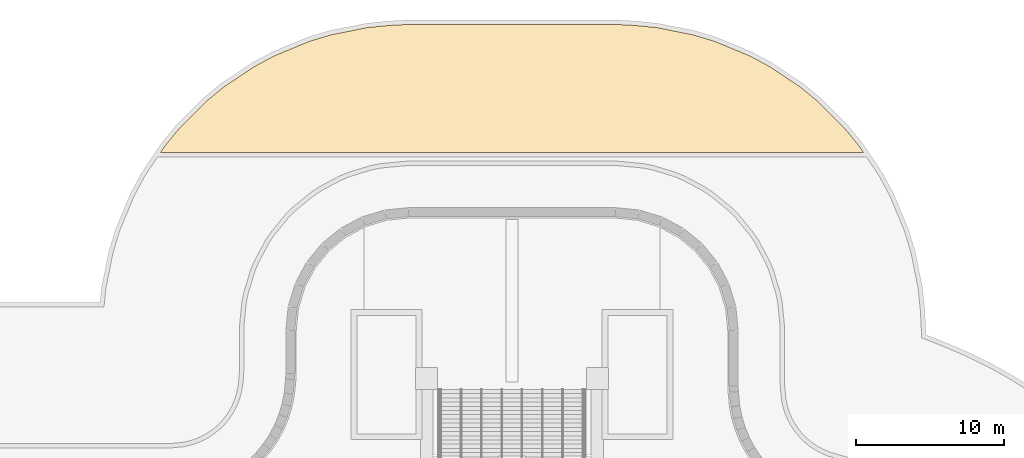
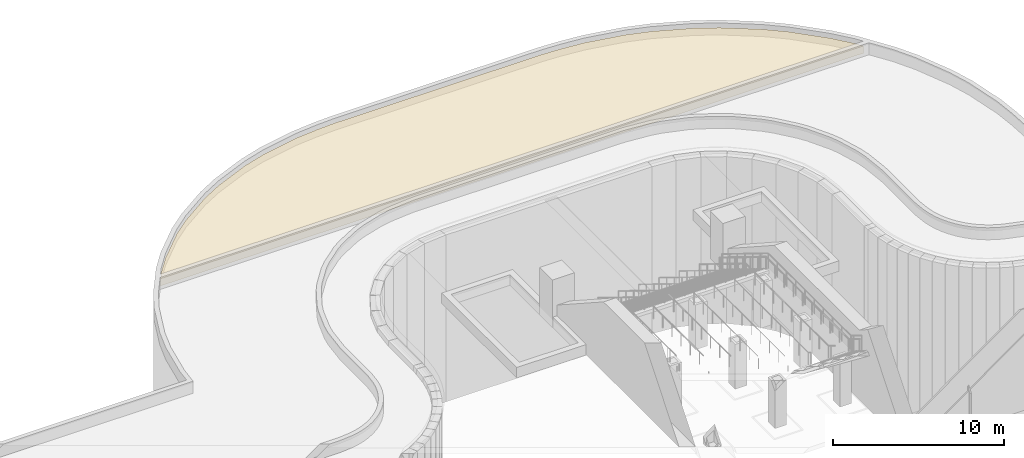
# One storey, part 47 of 48: 1 covering.
"""IFC4 building model written with IfcOpenShell, lengths in metres."""

from ifc_helpers import new_model, si_unit, direction, frame, origin, place, context, subcontext, project, spatial, polyline, outline, extrude, material, layer, layer_set, type_object, element, save


model = new_model("IFC4")

# Units and contexts
model_context = context("Model", 3, precision=1e-05, world=origin(), true_north=direction((0.0, 1.0)))
body_context = subcontext(model_context, "Body", "Model", "MODEL_VIEW")
ifc_project = project(units=[si_unit("LENGTHUNIT", "METRE"), si_unit("AREAUNIT", "SQUARE_METRE"), si_unit("VOLUMEUNIT", "CUBIC_METRE"), si_unit("PLANEANGLEUNIT", "RADIAN"), si_unit("MASSUNIT", "GRAM", prefix="KILO")], contexts=[model_context])

# Site, building, storey
site_placement = place(None, origin())
site = spatial("IfcSite", under=ifc_project, at=site_placement, CompositionType="ELEMENT")
building_placement = place(site_placement, origin())
building = spatial("IfcBuilding", under=site, at=building_placement, Name="Mahtab Terrace Research Tower", CompositionType="ELEMENT")
storey_placement = place(building_placement, origin())
storey = spatial("IfcBuildingStorey", under=building, at=storey_placement, Name="G", CompositionType="ELEMENT", Elevation=0.0)

# Covering
ifc_material = material(Name="Bituminous surfacing")
ifc_layer = layer(ifc_material, 0.52001953125)
ifc_layer_set = layer_set([ifc_layer], Name="Street carriageway surfacing 520")
covering_type = type_object("IfcCoveringType", Name="Street carriageway surfacing 520", PredefinedType="FLOORING", material=ifc_layer_set)
covering_placement = place(storey_placement, frame((0.0, 0.0, -0.699951171875)))
element("IfcCovering", 1, at=covering_placement, inside=storey, type_object=covering_type, Name="Street carriageway 2", PredefinedType="FLOORING", context=body_context, shape_type="SweptSolid", body=[
    extrude(outline(polyline([(58.48291015625, 74.81689453125), (59.4599609375, 73.6279296875), (59.779052734375, 73.14990234375), (12.220947265625, 73.14990234375), (12.5400390625, 73.6279296875), (13.51708984375, 74.81689453125), (15.298095703125, 76.597900390625), (16.487060546875, 77.574951171875), (18.58203125, 78.97412109375), (19.93896484375, 79.698974609375), (22.26611328125, 80.6630859375), (23.739013671875, 81.110107421875), (26.208984375, 81.60205078125), (27.748046875, 81.7529296875), (29.007080078125, 81.81494140625), (42.992919921875, 81.81494140625), (44.251953125, 81.7529296875), (45.791015625, 81.60205078125), (48.260986328125, 81.110107421875), (49.73388671875, 80.6630859375), (52.06103515625, 79.698974609375), (53.41796875, 78.97412109375), (55.512939453125, 77.574951171875), (56.701904296875, 76.597900390625), (58.48291015625, 74.81689453125)])), origin(), (0.0, 0.0, 1.0), 0.52001953125),
])

save(model, "model.ifc")
